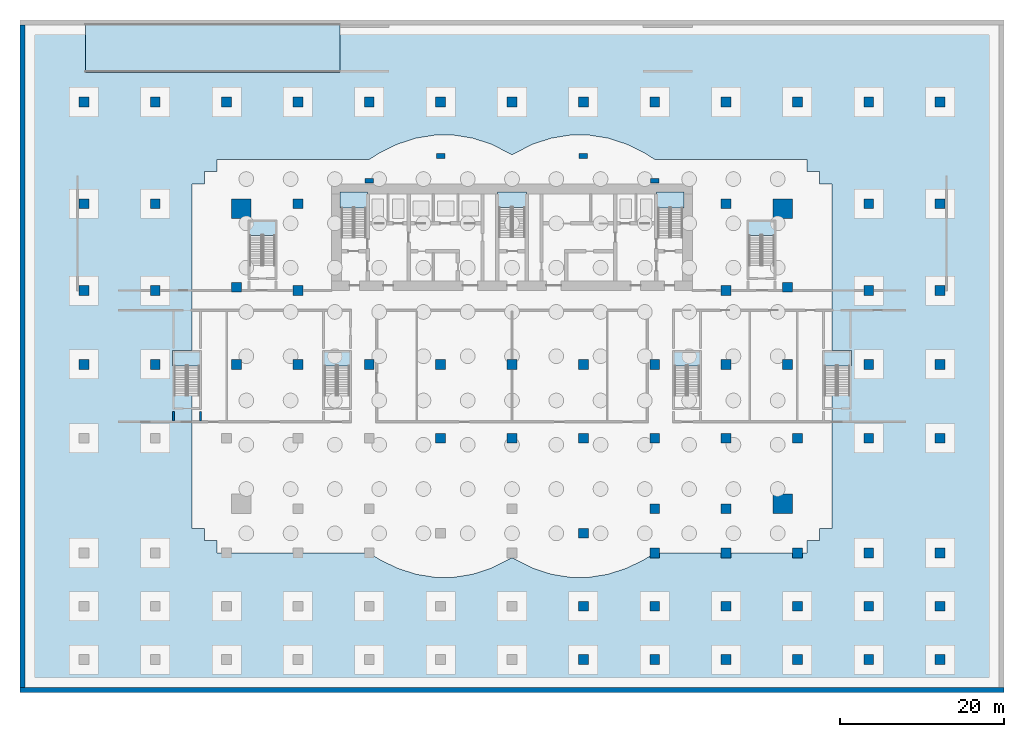
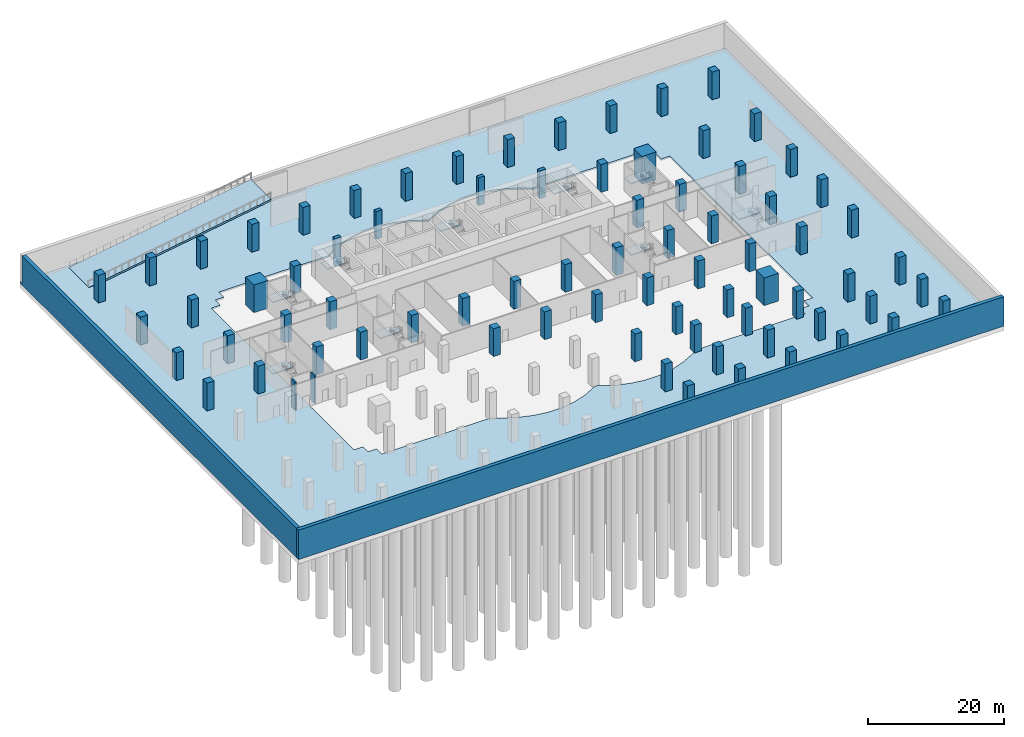
# One storey, part 2 of 10: 75 columns, 11 slabs, 4 walls, 9 elements without a shape of their own.
"""IFC4 building model written with IfcOpenShell, lengths in metres."""

from ifc_helpers import new_model, si_unit, direction, frame, frame_2d, origin, origin_2d, place, context, subcontext, project, spatial, polyline, rectangle, outline, extrude, material, layer, layer_set, material_profile, profile_set, type_object, element, aggregate, save


model = new_model("IFC4")

# Units and contexts
model_context = context("Model", 3, precision=1e-05, world=origin(), true_north=direction((0.0, 1.0)))
body_context = subcontext(model_context, "Body", "Model", "MODEL_VIEW")
ifc_project = project(units=[si_unit("LENGTHUNIT", "METRE"), si_unit("AREAUNIT", "SQUARE_METRE"), si_unit("VOLUMEUNIT", "CUBIC_METRE"), si_unit("PLANEANGLEUNIT", "RADIAN"), si_unit("MASSUNIT", "GRAM", prefix="KILO")], contexts=[model_context])

# Site, building, storey
site_placement = place(None, origin())
site = spatial("IfcSite", under=ifc_project, at=site_placement, CompositionType="ELEMENT")
building_placement = place(site_placement, origin())
building = spatial("IfcBuilding", under=site, at=building_placement, Name="Bicima Exchange Tower", CompositionType="ELEMENT")
storey_placement = place(building_placement, frame((0.0, 0.0, -15.0)))
storey = spatial("IfcBuildingStorey", under=building, at=storey_placement, Name="B3", CompositionType="ELEMENT", Elevation=-15.0)

# Columns
ifc_material_1 = material(Name="Concrete C60/75", Category="concrete")
ifc_material_profile_1 = material_profile(ifc_material_1, rectangle(XDim=1.199951171875, YDim=1.199951171875, at=origin_2d()))
ifc_profile_set_1 = profile_set([ifc_material_profile_1], Name="Concrete C60/75")
column_type_1 = type_object("IfcColumnType", Name="Reinforced concrete basement column 1200 x 1200", PredefinedType="COLUMN", material=ifc_profile_set_1)
for number, where, z_axis, x_axis, name in (
    (1, (-26.10009765625, -2.39990234375, 0.0), (0.0, 0.0, 1.0), (1.0, 0.0, 0.0), "Column"),
    (2, (8.699951171875, -42.591064453125, 0.0), (0.0, 0.0, 1.0), (1.0, 0.0, 0.0), "Column"),
    (3, (17.39990234375, -39.60009765625, 0.0), (0.0, 0.0, 1.0), (1.0, 0.0, 0.0), "Column"),
    (4, (26.10009765625, -39.60009765625, 0.0), (0.0, 0.0, 1.0), (1.0, 0.0, 0.0), "Column"),
    (5, (26.10009765625, -2.39990234375, 0.0), (0.0, 0.0, 1.0), (1.0, 0.0, 0.0), "Column"),
    (6, (-33.60009765625, -12.60009765625, 0.0), (0.0, 0.0, 1.0), (1.0, 0.0, 0.0), "Column"),
    (7, (-33.60009765625, -22.0, 0.0), (0.0, 0.0, 1.0), (1.0, 0.0, 0.0), "Column"),
    (8, (33.60009765625, -12.60009765625, 0.0), (0.0, 0.0, 1.0), (1.0, 0.0, 0.0), "Column"),
    (9, (33.60009765625, -22.0, 0.0), (0.0, 0.0, 1.0), (1.0, 0.0, 0.0), "Column"),
    (10, (-26.10009765625, -22.0, 0.0), (0.0, 0.0, 1.0), (1.0, 0.0, 0.0), "Column"),
    (11, (-17.39990234375, -22.0, 0.0), (0.0, 0.0, 1.0), (1.0, 0.0, 0.0), "Column"),
    (12, (-8.699951171875, -22.0, 0.0), (0.0, 0.0, 1.0), (1.0, 0.0, 0.0), "Column"),
    (13, (0.0, -22.0, 0.0), (0.0, 0.0, 1.0), (1.0, 0.0, 0.0), "Column"),
    (14, (8.699951171875, -22.0, 0.0), (0.0, 0.0, 1.0), (1.0, 0.0, 0.0), "Column"),
    (15, (17.39990234375, -22.0, 0.0), (0.0, 0.0, 1.0), (1.0, 0.0, 0.0), "Column"),
    (16, (26.10009765625, -22.0, 0.0), (0.0, 0.0, 1.0), (1.0, 0.0, 0.0), "Column"),
):
    element("IfcColumn", number, at=place(storey_placement, frame(where, z_axis=z_axis, x_axis=x_axis)), inside=storey, type_object=column_type_1, Name=name, PredefinedType="COLUMN", context=body_context, shape_type="SweptSolid", body=[
        extrude(rectangle(XDim=1.199951171875, YDim=1.199951171875, at=origin_2d()), origin(), (0.0, 0.0, 1.0), 5.0),
    ])
for number, where, z_axis, x_axis, name in (
    (17, (-52.199951171875, 10.0, -0.300048828125), (0.0, 0.0, 1.0), (1.0, 0.0, 0.0), "Column"),
    (18, (-52.199951171875, -2.39990234375, -0.300048828125), (0.0, 0.0, 1.0), (1.0, 0.0, 0.0), "Column"),
    (19, (-52.199951171875, -13.0, -0.300048828125), (0.0, 0.0, 1.0), (1.0, 0.0, 0.0), "Column"),
    (20, (-52.199951171875, -22.0, -0.300048828125), (0.0, 0.0, 1.0), (1.0, 0.0, 0.0), "Column"),
    (21, (-43.5, 10.0, -0.300048828125), (0.0, 0.0, 1.0), (1.0, 0.0, 0.0), "Column"),
    (22, (-43.5, -2.39990234375, -0.300048828125), (0.0, 0.0, 1.0), (1.0, 0.0, 0.0), "Column"),
    (23, (-43.5, -13.0, -0.300048828125), (0.0, 0.0, 1.0), (1.0, 0.0, 0.0), "Column"),
    (24, (-43.5, -22.0, -0.300048828125), (0.0, 0.0, 1.0), (1.0, 0.0, 0.0), "Column"),
    (25, (-34.800048828125, 10.0, -0.300048828125), (0.0, 0.0, 1.0), (1.0, 0.0, 0.0), "Column"),
    (26, (-26.10009765625, 10.0, -0.300048828125), (0.0, 0.0, 1.0), (1.0, 0.0, 0.0), "Column"),
):
    element("IfcColumn", number, at=place(storey_placement, frame(where, z_axis=z_axis, x_axis=x_axis)), inside=storey, type_object=column_type_1, Name=name, PredefinedType="COLUMN", context=body_context, shape_type="SweptSolid", body=[
        extrude(rectangle(XDim=1.199951171875, YDim=1.199951171875, at=origin_2d()), origin(), (0.0, 0.0, 1.0), 5.300048828125),
    ])
column_1_placement = place(storey_placement, frame((-26.10009765625, -13.0, 0.0), z_axis=(0.0, 0.0, 1.0), x_axis=(1.0, 0.0, 0.0)))
element("IfcColumn", 27, at=column_1_placement, inside=storey, type_object=column_type_1, Name="Column", PredefinedType="COLUMN", context=body_context, shape_type="SweptSolid", body=[
    extrude(rectangle(XDim=1.199951171875, YDim=1.199951171875, at=origin_2d()), origin(), (0.0, 0.0, 1.0), 5.0),
])
for number, where, z_axis, x_axis, name in (
    (28, (-17.39990234375, 10.0, -0.300048828125), (0.0, 0.0, 1.0), (1.0, 0.0, 0.0), "Column"),
    (29, (-8.699951171875, 10.0, -0.300048828125), (0.0, 0.0, 1.0), (1.0, 0.0, 0.0), "Column"),
):
    element("IfcColumn", number, at=place(storey_placement, frame(where, z_axis=z_axis, x_axis=x_axis)), inside=storey, type_object=column_type_1, Name=name, PredefinedType="COLUMN", context=body_context, shape_type="SweptSolid", body=[
        extrude(rectangle(XDim=1.199951171875, YDim=1.199951171875, at=origin_2d()), origin(), (0.0, 0.0, 1.0), 5.300048828125),
    ])
column_2_placement = place(storey_placement, frame((-8.699951171875, -31.0, 0.0), z_axis=(0.0, 0.0, 1.0), x_axis=(1.0, 0.0, 0.0)))
element("IfcColumn", 30, at=column_2_placement, inside=storey, type_object=column_type_1, Name="Column", PredefinedType="COLUMN", context=body_context, shape_type="SweptSolid", body=[
    extrude(rectangle(XDim=1.199951171875, YDim=1.199951171875, at=origin_2d()), origin(), (0.0, 0.0, 1.0), 5.0),
])
column_3_placement = place(storey_placement, frame((0.0, 10.0, -0.300048828125), z_axis=(0.0, 0.0, 1.0), x_axis=(1.0, 0.0, 0.0)))
element("IfcColumn", 31, at=column_3_placement, inside=storey, type_object=column_type_1, Name="Column", PredefinedType="COLUMN", context=body_context, shape_type="SweptSolid", body=[
    extrude(rectangle(XDim=1.199951171875, YDim=1.199951171875, at=origin_2d()), origin(), (0.0, 0.0, 1.0), 5.300048828125),
])
column_4_placement = place(storey_placement, frame((0.0, -31.0, 0.0), z_axis=(0.0, 0.0, 1.0), x_axis=(1.0, 0.0, 0.0)))
element("IfcColumn", 32, at=column_4_placement, inside=storey, type_object=column_type_1, Name="Column", PredefinedType="COLUMN", context=body_context, shape_type="SweptSolid", body=[
    extrude(rectangle(XDim=1.199951171875, YDim=1.199951171875, at=origin_2d()), origin(), (0.0, 0.0, 1.0), 5.0),
])
column_5_placement = place(storey_placement, frame((8.699951171875, 10.0, -0.300048828125), z_axis=(0.0, 0.0, 1.0), x_axis=(1.0, 0.0, 0.0)))
element("IfcColumn", 33, at=column_5_placement, inside=storey, type_object=column_type_1, Name="Column", PredefinedType="COLUMN", context=body_context, shape_type="SweptSolid", body=[
    extrude(rectangle(XDim=1.199951171875, YDim=1.199951171875, at=origin_2d()), origin(), (0.0, 0.0, 1.0), 5.300048828125),
])
column_6_placement = place(storey_placement, frame((8.699951171875, -31.0, 0.0), z_axis=(0.0, 0.0, 1.0), x_axis=(1.0, 0.0, 0.0)))
element("IfcColumn", 34, at=column_6_placement, inside=storey, type_object=column_type_1, Name="Column", PredefinedType="COLUMN", context=body_context, shape_type="SweptSolid", body=[
    extrude(rectangle(XDim=1.199951171875, YDim=1.199951171875, at=origin_2d()), origin(), (0.0, 0.0, 1.0), 5.0),
])
for number, where, z_axis, x_axis, name in (
    (35, (8.699951171875, -51.5, -0.300048828125), (0.0, 0.0, 1.0), (1.0, 0.0, 0.0), "Column"),
    (36, (8.699951171875, -58.0, -0.300048828125), (0.0, 0.0, 1.0), (1.0, 0.0, 0.0), "Column"),
    (37, (17.39990234375, 10.0, -0.300048828125), (0.0, 0.0, 1.0), (1.0, 0.0, 0.0), "Column"),
):
    element("IfcColumn", number, at=place(storey_placement, frame(where, z_axis=z_axis, x_axis=x_axis)), inside=storey, type_object=column_type_1, Name=name, PredefinedType="COLUMN", context=body_context, shape_type="SweptSolid", body=[
        extrude(rectangle(XDim=1.199951171875, YDim=1.199951171875, at=origin_2d()), origin(), (0.0, 0.0, 1.0), 5.300048828125),
    ])
for number, where, z_axis, x_axis, name in (
    (38, (17.39990234375, -31.0, 0.0), (0.0, 0.0, 1.0), (1.0, 0.0, 0.0), "Column"),
    (39, (17.39990234375, -45.0, 0.0), (0.0, 0.0, 1.0), (1.0, 0.0, 0.0), "Column"),
):
    element("IfcColumn", number, at=place(storey_placement, frame(where, z_axis=z_axis, x_axis=x_axis)), inside=storey, type_object=column_type_1, Name=name, PredefinedType="COLUMN", context=body_context, shape_type="SweptSolid", body=[
        extrude(rectangle(XDim=1.199951171875, YDim=1.199951171875, at=origin_2d()), origin(), (0.0, 0.0, 1.0), 5.0),
    ])
for number, where, z_axis, x_axis, name in (
    (40, (17.39990234375, -51.5, -0.300048828125), (0.0, 0.0, 1.0), (1.0, 0.0, 0.0), "Column"),
    (41, (17.39990234375, -58.0, -0.300048828125), (0.0, 0.0, 1.0), (1.0, 0.0, 0.0), "Column"),
    (42, (26.10009765625, 10.0, -0.300048828125), (0.0, 0.0, 1.0), (1.0, 0.0, 0.0), "Column"),
):
    element("IfcColumn", number, at=place(storey_placement, frame(where, z_axis=z_axis, x_axis=x_axis)), inside=storey, type_object=column_type_1, Name=name, PredefinedType="COLUMN", context=body_context, shape_type="SweptSolid", body=[
        extrude(rectangle(XDim=1.199951171875, YDim=1.199951171875, at=origin_2d()), origin(), (0.0, 0.0, 1.0), 5.300048828125),
    ])
for number, where, z_axis, x_axis, name in (
    (43, (26.10009765625, -13.0, 0.0), (0.0, 0.0, 1.0), (1.0, 0.0, 0.0), "Column"),
    (44, (26.10009765625, -31.0, 0.0), (0.0, 0.0, 1.0), (1.0, 0.0, 0.0), "Column"),
    (45, (26.10009765625, -45.0, 0.0), (0.0, 0.0, 1.0), (1.0, 0.0, 0.0), "Column"),
):
    element("IfcColumn", number, at=place(storey_placement, frame(where, z_axis=z_axis, x_axis=x_axis)), inside=storey, type_object=column_type_1, Name=name, PredefinedType="COLUMN", context=body_context, shape_type="SweptSolid", body=[
        extrude(rectangle(XDim=1.199951171875, YDim=1.199951171875, at=origin_2d()), origin(), (0.0, 0.0, 1.0), 5.0),
    ])
for number, where, z_axis, x_axis, name in (
    (46, (26.10009765625, -51.5, -0.300048828125), (0.0, 0.0, 1.0), (1.0, 0.0, 0.0), "Column"),
    (47, (26.10009765625, -58.0, -0.300048828125), (0.0, 0.0, 1.0), (1.0, 0.0, 0.0), "Column"),
    (48, (34.800048828125, 10.0, -0.300048828125), (0.0, 0.0, 1.0), (1.0, 0.0, 0.0), "Column"),
):
    element("IfcColumn", number, at=place(storey_placement, frame(where, z_axis=z_axis, x_axis=x_axis)), inside=storey, type_object=column_type_1, Name=name, PredefinedType="COLUMN", context=body_context, shape_type="SweptSolid", body=[
        extrude(rectangle(XDim=1.199951171875, YDim=1.199951171875, at=origin_2d()), origin(), (0.0, 0.0, 1.0), 5.300048828125),
    ])
for number, where, z_axis, x_axis, name in (
    (49, (34.800048828125, -31.0, 0.0), (0.0, 0.0, 1.0), (1.0, 0.0, 0.0), "Column"),
    (50, (34.800048828125, -45.0, 0.0), (0.0, 0.0, 1.0), (1.0, 0.0, 0.0), "Column"),
):
    element("IfcColumn", number, at=place(storey_placement, frame(where, z_axis=z_axis, x_axis=x_axis)), inside=storey, type_object=column_type_1, Name=name, PredefinedType="COLUMN", context=body_context, shape_type="SweptSolid", body=[
        extrude(rectangle(XDim=1.199951171875, YDim=1.199951171875, at=origin_2d()), origin(), (0.0, 0.0, 1.0), 5.0),
    ])
for number, where, z_axis, x_axis, name in (
    (51, (34.800048828125, -51.5, -0.300048828125), (0.0, 0.0, 1.0), (1.0, 0.0, 0.0), "Column"),
    (52, (34.800048828125, -58.0, -0.300048828125), (0.0, 0.0, 1.0), (1.0, 0.0, 0.0), "Column"),
    (53, (43.5, 10.0, -0.300048828125), (0.0, 0.0, 1.0), (1.0, 0.0, 0.0), "Column"),
    (54, (43.5, -2.39990234375, -0.300048828125), (0.0, 0.0, 1.0), (1.0, 0.0, 0.0), "Column"),
    (55, (43.5, -13.0, -0.300048828125), (0.0, 0.0, 1.0), (1.0, 0.0, 0.0), "Column"),
    (56, (43.5, -22.0, -0.300048828125), (0.0, 0.0, 1.0), (1.0, 0.0, 0.0), "Column"),
    (57, (43.5, -31.0, -0.300048828125), (0.0, 0.0, 1.0), (1.0, 0.0, 0.0), "Column"),
    (58, (43.5, -45.0, -0.300048828125), (0.0, 0.0, 1.0), (1.0, 0.0, 0.0), "Column"),
    (59, (43.5, -51.5, -0.300048828125), (0.0, 0.0, 1.0), (1.0, 0.0, 0.0), "Column"),
    (60, (43.5, -58.0, -0.300048828125), (0.0, 0.0, 1.0), (1.0, 0.0, 0.0), "Column"),
    (61, (52.199951171875, 10.0, -0.300048828125), (0.0, 0.0, 1.0), (1.0, 0.0, 0.0), "Column"),
    (62, (52.199951171875, -2.39990234375, -0.300048828125), (0.0, 0.0, 1.0), (1.0, 0.0, 0.0), "Column"),
    (63, (52.199951171875, -13.0, -0.300048828125), (0.0, 0.0, 1.0), (1.0, 0.0, 0.0), "Column"),
    (64, (52.199951171875, -22.0, -0.300048828125), (0.0, 0.0, 1.0), (1.0, 0.0, 0.0), "Column"),
    (65, (52.199951171875, -31.0, -0.300048828125), (0.0, 0.0, 1.0), (1.0, 0.0, 0.0), "Column"),
    (66, (52.199951171875, -45.0, -0.300048828125), (0.0, 0.0, 1.0), (1.0, 0.0, 0.0), "Column"),
    (67, (52.199951171875, -51.5, -0.300048828125), (0.0, 0.0, 1.0), (1.0, 0.0, 0.0), "Column"),
    (68, (52.199951171875, -58.0, -0.300048828125), (0.0, 0.0, 1.0), (1.0, 0.0, 0.0), "Column"),
):
    element("IfcColumn", number, at=place(storey_placement, frame(where, z_axis=z_axis, x_axis=x_axis)), inside=storey, type_object=column_type_1, Name=name, PredefinedType="COLUMN", context=body_context, shape_type="SweptSolid", body=[
        extrude(rectangle(XDim=1.199951171875, YDim=1.199951171875, at=origin_2d()), origin(), (0.0, 0.0, 1.0), 5.300048828125),
    ])
ifc_material_profile_2 = material_profile(ifc_material_1, rectangle(XDim=2.39990234375, YDim=2.39990234375, at=origin_2d()))
ifc_profile_set_2 = profile_set([ifc_material_profile_2], Name="Concrete C60/75")
column_type_2 = type_object("IfcColumnType", Name="Reinforced concrete mega column 2400 x 2400", PredefinedType="COLUMN", material=ifc_profile_set_2)
for number, where, z_axis, x_axis, name in (
    (69, (-33.0, -3.0, 0.0), (0.0, 0.0, 1.0), (1.0, 0.0, 0.0), "Mega column"),
    (70, (33.0, -39.0, 0.0), (0.0, 0.0, 1.0), (1.0, 0.0, 0.0), "Mega column"),
    (71, (33.0, -3.0, 0.0), (0.0, 0.0, 1.0), (1.0, 0.0, 0.0), "Mega column"),
):
    element("IfcColumn", number, at=place(storey_placement, frame(where, z_axis=z_axis, x_axis=x_axis)), inside=storey, type_object=column_type_2, Name=name, PredefinedType="COLUMN", context=body_context, shape_type="SweptSolid", body=[
        extrude(rectangle(XDim=2.39990234375, YDim=2.39990234375, at=origin_2d()), origin(), (0.0, 0.0, 1.0), 5.0),
    ])
ifc_material_profile_3 = material_profile(ifc_material_1, rectangle(XDim=1.0, YDim=0.60009765625, at=origin_2d()))
ifc_profile_set_3 = profile_set([ifc_material_profile_3], Name="Concrete C60/75")
column_type_3 = type_object("IfcColumnType", Name="Reinforced concrete rear pilaster column 1000 x 600", PredefinedType="COLUMN", material=ifc_profile_set_3)
for number, where, z_axis, x_axis, name in (
    (72, (-8.699951171875, 3.39111328125, 0.0), (0.0, 0.0, 1.0), (1.0, 0.0, 0.0), "Column"),
    (73, (-17.39990234375, 0.39990234375, 0.0), (0.0, 0.0, 1.0), (1.0, 0.0, 0.0), "Column"),
    (74, (8.699951171875, 3.39111328125, 0.0), (0.0, 0.0, 1.0), (1.0, 0.0, 0.0), "Column"),
    (75, (17.39990234375, 0.39990234375, 0.0), (0.0, 0.0, 1.0), (1.0, 0.0, 0.0), "Column"),
):
    element("IfcColumn", number, at=place(storey_placement, frame(where, z_axis=z_axis, x_axis=x_axis)), inside=storey, type_object=column_type_3, Name=name, PredefinedType="COLUMN", context=body_context, shape_type="SweptSolid", body=[
        extrude(rectangle(XDim=1.0, YDim=0.60009765625, at=origin_2d()), origin(), (0.0, 0.0, 1.0), 5.0),
    ])

# Slab
ifc_material_2 = material(Name="Concrete C40/50", Category="concrete")
ifc_layer_1 = layer(ifc_material_2, 0.300048828125)
ifc_layer_set_1 = layer_set([ifc_layer_1], Name="Concrete C40/50")
slab_type_1 = type_object("IfcSlabType", Name="Reinforced concrete base slab 300", PredefinedType="BASESLAB", material=ifc_layer_set_1)
slab_1_placement = place(storey_placement, frame((0.0, 0.0, -0.300048828125)))
element("IfcSlab", 76, at=slab_1_placement, inside=storey, type_object=slab_type_1, Name="Base slab", PredefinedType="BASESLAB", context=body_context, shape_type="SweptSolid", body=[
    extrude(outline(polyline([(-60.0, 20.0), (60.0, 20.0), (60.0, -62.0), (-60.0, -62.0), (-60.0, 20.0)]), holes=[polyline([(-37.5, -43.5), (-36.0, -43.5), (-36.0, -45.0), (-17.38525390625, -45.0), (-16.14111328125, -45.804443359375), (-13.954345703125, -46.864501953125), (-11.704833984375, -47.591796875), (-9.40771484375, -47.962890625), (-7.09228515625, -47.962890625), (-4.795166015625, -47.591796875), (-2.545654296875, -46.864501953125), (0.0, -45.572265625), (2.545654296875, -46.864501953125), (4.795166015625, -47.591796875), (7.09228515625, -47.962890625), (9.40771484375, -47.962890625), (11.704833984375, -47.591796875), (13.954345703125, -46.864501953125), (16.14111328125, -45.804443359375), (17.38525390625, -45.0), (36.0, -45.0), (36.0, -43.5), (37.5, -43.5), (37.5, -42.0), (39.0, -42.0), (39.0, 0.0), (37.5, 0.0), (37.5, 1.5), (36.0, 1.5), (36.0, 3.0), (17.38525390625, 3.0), (16.14111328125, 3.804443359375), (13.954345703125, 4.864501953125), (11.704833984375, 5.591796875), (9.40771484375, 5.962890625), (7.09228515625, 5.962890625), (4.795166015625, 5.591796875), (2.545654296875, 4.864501953125), (0.0, 3.572265625), (-2.545654296875, 4.864501953125), (-4.795166015625, 5.591796875), (-7.09228515625, 5.962890625), (-9.40771484375, 5.962890625), (-11.704833984375, 5.591796875), (-13.954345703125, 4.864501953125), (-16.14111328125, 3.804443359375), (-17.38525390625, 3.0), (-36.0, 3.0), (-36.0, 1.5), (-37.5, 1.5), (-37.5, 0.0), (-39.0, 0.0), (-39.0, -42.0), (-37.5, -42.0), (-37.5, -43.5)])]), origin(), (0.0, 0.0, 1.0), 0.300048828125),
])

# Stair, slab
ifc_material_3 = material(Name="Concrete C50/60", Category="concrete")
stair_type_1 = type_object("IfcStairType", Name="Exit stair", PredefinedType="HALF_TURN_STAIR", material=ifc_material_3)
stair_1_placement = place(storey_placement, origin())
stair_1 = element("IfcStair", 77, at=stair_1_placement, inside=storey, type_object=stair_type_1, Name="B3 West exit stair", PredefinedType="HALF_TURN_STAIR")
ifc_layer_2 = layer(ifc_material_3, 0.199951171875)
ifc_layer_set_2 = layer_set([ifc_layer_2], Name="Concrete C50/60")
slab_type_2 = type_object("IfcSlabType", Name="Stair landing slab", PredefinedType="LANDING", material=ifc_layer_set_2)
slab_2_placement = place(storey_placement, frame((0.0, 0.0, 2.300048828125)))
slab_2 = element("IfcSlab", 78, at=slab_2_placement, type_object=slab_type_2, Name="ST-W landing 1", PredefinedType="LANDING", context=body_context, shape_type="SweptSolid", body=[
    extrude(outline(polyline([(-17.60009765625, -2.909912109375), (-17.60009765625, -1.0), (-21.0, -1.0), (-21.0, -2.909912109375), (-17.60009765625, -2.909912109375)])), origin(), (0.0, 0.0, 1.0), 0.199951171875),
])
aggregate(stair_1, [slab_2])

stair_type_2 = type_object("IfcStairType", Name="Exit stair 1500", PredefinedType="HALF_TURN_STAIR", material=ifc_material_3)
stair_2_placement = place(storey_placement, origin())
stair_2 = element("IfcStair", 79, at=stair_2_placement, inside=storey, type_object=stair_type_2, Name="B3 Central exit stair", PredefinedType="HALF_TURN_STAIR")
slab_3_placement = place(storey_placement, frame((0.0, 0.0, 2.300048828125)))
slab_3 = element("IfcSlab", 80, at=slab_3_placement, type_object=slab_type_2, Name="ST-C landing 1", PredefinedType="LANDING", context=body_context, shape_type="SweptSolid", body=[
    extrude(outline(polyline([(1.77490234375, -2.860107421875), (1.77490234375, -1.0), (-1.77490234375, -1.0), (-1.77490234375, -2.860107421875), (1.77490234375, -2.860107421875)])), origin(), (0.0, 0.0, 1.0), 0.199951171875),
])
aggregate(stair_2, [slab_3])

stair_3_placement = place(storey_placement, origin())
stair_3 = element("IfcStair", 81, at=stair_3_placement, inside=storey, type_object=stair_type_1, Name="B3 East exit stair", PredefinedType="HALF_TURN_STAIR")
slab_4_placement = place(storey_placement, frame((0.0, 0.0, 2.300048828125)))
slab_4 = element("IfcSlab", 82, at=slab_4_placement, type_object=slab_type_2, Name="ST-E landing 1", PredefinedType="LANDING", context=body_context, shape_type="SweptSolid", body=[
    extrude(outline(polyline([(21.0, -2.909912109375), (21.0, -1.0), (17.60009765625, -1.0), (17.60009765625, -2.909912109375), (21.0, -2.909912109375)])), origin(), (0.0, 0.0, 1.0), 0.199951171875),
])
aggregate(stair_3, [slab_4])

stair_4_placement = place(storey_placement, origin())
stair_4 = element("IfcStair", 83, at=stair_4_placement, inside=storey, type_object=stair_type_1, Name="B3 West end exit stair", PredefinedType="HALF_TURN_STAIR")
slab_5_placement = place(storey_placement, frame((0.0, 0.0, 2.300048828125)))
slab_5 = element("IfcSlab", 84, at=slab_5_placement, type_object=slab_type_2, Name="ST-WW landing 1", PredefinedType="LANDING", context=body_context, shape_type="SweptSolid", body=[
    extrude(outline(polyline([(-28.72509765625, -6.284912109375), (-28.72509765625, -4.425048828125), (-32.175048828125, -4.425048828125), (-32.175048828125, -6.284912109375), (-28.72509765625, -6.284912109375)])), origin(), (0.0, 0.0, 1.0), 0.199951171875),
])
aggregate(stair_4, [slab_5])

stair_5_placement = place(storey_placement, origin())
stair_5 = element("IfcStair", 85, at=stair_5_placement, inside=storey, type_object=stair_type_1, Name="B3 East end exit stair", PredefinedType="HALF_TURN_STAIR")
slab_6_placement = place(storey_placement, frame((0.0, 0.0, 2.300048828125)))
slab_6 = element("IfcSlab", 86, at=slab_6_placement, type_object=slab_type_2, Name="ST-EE landing 1", PredefinedType="LANDING", context=body_context, shape_type="SweptSolid", body=[
    extrude(outline(polyline([(32.175048828125, -6.284912109375), (32.175048828125, -4.425048828125), (28.72509765625, -4.425048828125), (28.72509765625, -6.284912109375), (32.175048828125, -6.284912109375)])), origin(), (0.0, 0.0, 1.0), 0.199951171875),
])
aggregate(stair_5, [slab_6])

stair_6_placement = place(storey_placement, origin())
stair_6 = element("IfcStair", 87, at=stair_6_placement, inside=storey, type_object=stair_type_1, Name="B3 Podium west stair", PredefinedType="HALF_TURN_STAIR")
slab_7_placement = place(storey_placement, frame((0.0, 0.0, 2.300048828125)))
slab_7 = element("IfcSlab", 88, at=slab_7_placement, type_object=slab_type_2, Name="PS-W landing 1", PredefinedType="LANDING", context=body_context, shape_type="SweptSolid", body=[
    extrude(outline(polyline([(-37.925048828125, -22.18505859375), (-37.925048828125, -20.324951171875), (-41.375, -20.324951171875), (-41.375, -22.18505859375), (-37.925048828125, -22.18505859375)])), origin(), (0.0, 0.0, 1.0), 0.199951171875),
])
aggregate(stair_6, [slab_7])

stair_7_placement = place(storey_placement, origin())
stair_7 = element("IfcStair", 89, at=stair_7_placement, inside=storey, type_object=stair_type_1, Name="B3 Podium inner west stair", PredefinedType="HALF_TURN_STAIR")
slab_8_placement = place(storey_placement, frame((0.0, 0.0, 2.300048828125)))
slab_8 = element("IfcSlab", 90, at=slab_8_placement, type_object=slab_type_2, Name="PS-WI landing 1", PredefinedType="LANDING", context=body_context, shape_type="SweptSolid", body=[
    extrude(outline(polyline([(-19.625, -22.18505859375), (-19.625, -20.324951171875), (-23.074951171875, -20.324951171875), (-23.074951171875, -22.18505859375), (-19.625, -22.18505859375)])), origin(), (0.0, 0.0, 1.0), 0.199951171875),
])
aggregate(stair_7, [slab_8])

stair_8_placement = place(storey_placement, origin())
stair_8 = element("IfcStair", 91, at=stair_8_placement, inside=storey, type_object=stair_type_1, Name="B3 Podium inner east stair", PredefinedType="HALF_TURN_STAIR")
slab_9_placement = place(storey_placement, frame((0.0, 0.0, 2.300048828125)))
slab_9 = element("IfcSlab", 92, at=slab_9_placement, type_object=slab_type_2, Name="PS-EI landing 1", PredefinedType="LANDING", context=body_context, shape_type="SweptSolid", body=[
    extrude(outline(polyline([(23.074951171875, -22.18505859375), (23.074951171875, -20.324951171875), (19.625, -20.324951171875), (19.625, -22.18505859375), (23.074951171875, -22.18505859375)])), origin(), (0.0, 0.0, 1.0), 0.199951171875),
])
aggregate(stair_8, [slab_9])

stair_9_placement = place(storey_placement, origin())
stair_9 = element("IfcStair", 93, at=stair_9_placement, inside=storey, type_object=stair_type_1, Name="B3 Podium east stair", PredefinedType="HALF_TURN_STAIR")
slab_10_placement = place(storey_placement, frame((0.0, 0.0, 2.300048828125)))
slab_10 = element("IfcSlab", 94, at=slab_10_placement, type_object=slab_type_2, Name="PS-E landing 1", PredefinedType="LANDING", context=body_context, shape_type="SweptSolid", body=[
    extrude(outline(polyline([(41.375, -22.18505859375), (41.375, -20.324951171875), (37.925048828125, -20.324951171875), (37.925048828125, -22.18505859375), (41.375, -22.18505859375)])), origin(), (0.0, 0.0, 1.0), 0.199951171875),
])
aggregate(stair_9, [slab_10])

# Slab
ifc_layer_3 = layer(ifc_material_2, 0.300048828125)
ifc_layer_set_3 = layer_set([ifc_layer_3], Name="Concrete C40/50")
slab_type_3 = type_object("IfcSlabType", Name="Vehicle ramp slab 300 C40/50", PredefinedType="FLOOR", material=ifc_layer_set_3)
slab_11_placement = place(storey_placement, frame((-52.0, 16.5751953125, 0.0), z_axis=(0.0, 0.0, 1.0), x_axis=(1.0, 0.0, 0.0)))
element("IfcSlab", 95, at=slab_11_placement, inside=storey, type_object=slab_type_3, Name="Vehicle ramp slab 1", PredefinedType="FLOOR", context=body_context, shape_type="SweptSolid", body=[
    extrude(outline(polyline([(0.0, 0.0), (31.0, 5.0), (31.0, 4.696044921875), (1.884033203125, 0.0), (0.0, 0.0)])), frame((0.0, 2.97509765625, 0.0), z_axis=(0.0, -1.0, 0.0), x_axis=(1.0, 0.0, 0.0)), (0.0, 0.0, 1.0), 5.949951171875),
])

# Walls
ifc_layer_4 = layer(ifc_material_2, 0.60009765625)
ifc_layer_set_4 = layer_set([ifc_layer_4], Name="Concrete C40/50")
wall_type_1 = type_object("IfcWallType", Name="Basement retaining wall 600", PredefinedType="SOLIDWALL", material=ifc_layer_set_4)
wall_1_placement = place(storey_placement, frame((-60.0, -61.699951171875, -0.300048828125), z_axis=(0.0, 0.0, 1.0), x_axis=(1.0, 0.0, 0.0)))
element("IfcWall", 96, at=wall_1_placement, inside=storey, type_object=wall_type_1, Name="Retaining wall south", PredefinedType="SOLIDWALL", context=body_context, shape_type="SweptSolid", body=[
    extrude(rectangle(XDim=120.0, YDim=0.60009765625, at=frame_2d((60.0, 0.0))), origin(), (0.0, 0.0, 1.0), 5.300048828125),
])
wall_2_placement = place(storey_placement, frame((-59.699951171875, -61.39990234375, -0.300048828125), z_axis=(0.0, 0.0, 1.0), x_axis=(0.0, 1.0, 0.0)))
element("IfcWall", 97, at=wall_2_placement, inside=storey, type_object=wall_type_1, Name="Retaining wall west", PredefinedType="SOLIDWALL", context=body_context, shape_type="SweptSolid", body=[
    extrude(rectangle(XDim=80.7998046875, YDim=0.60009765625, at=frame_2d((40.39990234375, 0.0))), origin(), (0.0, 0.0, 1.0), 5.300048828125),
])
ifc_layer_5 = layer(ifc_material_3, 0.25)
ifc_layer_set_5 = layer_set([ifc_layer_5], Name="Concrete C50/60")
wall_type_2 = type_object("IfcWallType", Name="RC core wall 250 C50/60", PredefinedType="SHEAR", material=ifc_layer_set_5)
for number, where, z_axis, x_axis, name in (
    (98, (-41.300048828125, -28.89990234375, 0.0), (0.0, 0.0, 1.0), (0.0, 1.0, 0.0), "stair wall 24"),
    (99, (-38.0, -28.89990234375, 0.0), (0.0, 0.0, 1.0), (0.0, 1.0, 0.0), "stair wall 25"),
):
    element("IfcWall", number, at=place(storey_placement, frame(where, z_axis=z_axis, x_axis=x_axis)), inside=storey, type_object=wall_type_2, Name=name, PredefinedType="SHEAR", context=body_context, shape_type="SweptSolid", body=[
        extrude(rectangle(XDim=1.14990234375, YDim=0.25, at=frame_2d((0.574951171875, 0.0))), origin(), (0.0, 0.0, 1.0), 5.0),
    ])

save(model, "model.ifc")
